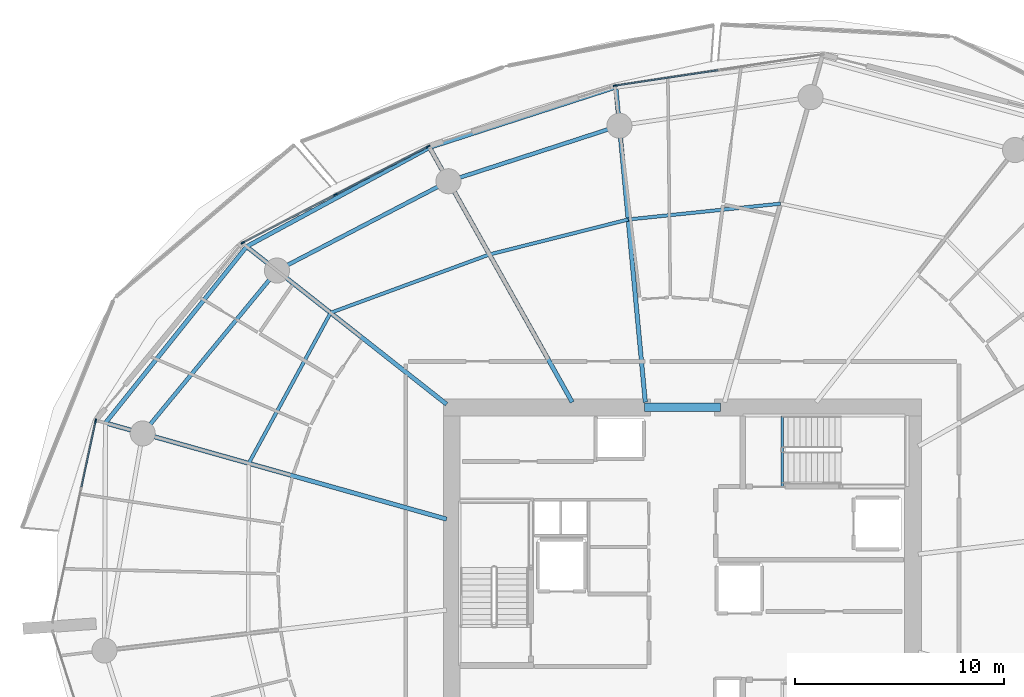
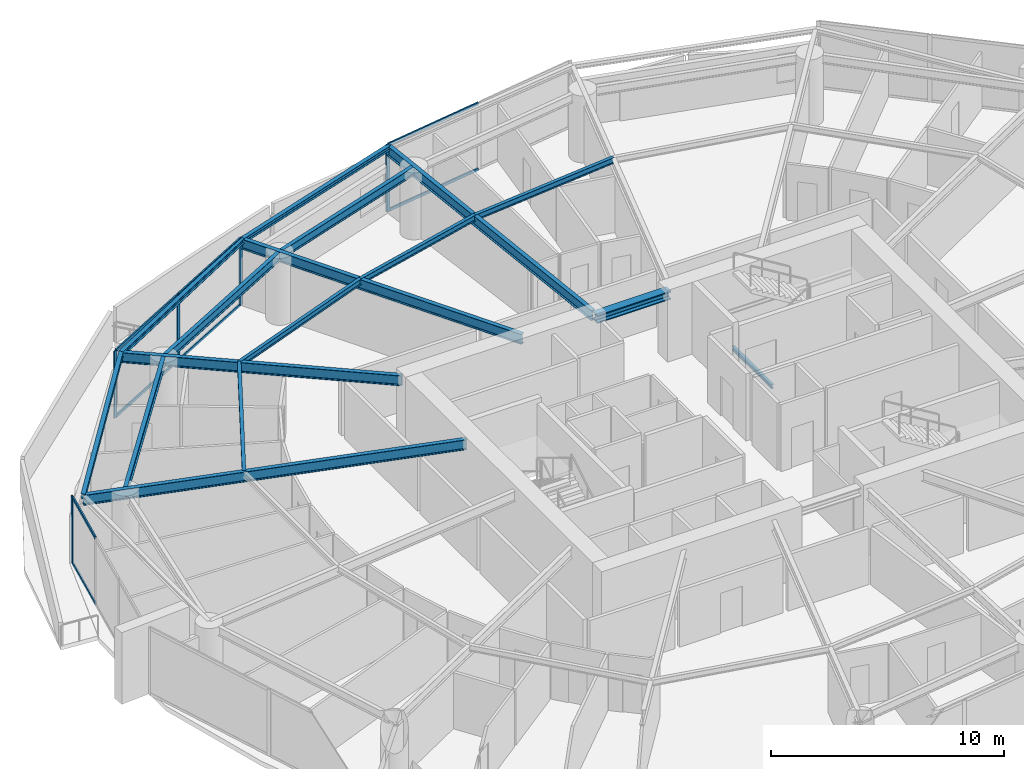
# One storey, part 8 of 23: 16 beams, 13 members, 3 elements without a shape of their own.
"""IFC4 building model written with IfcOpenShell, lengths in metres."""

from ifc_helpers import new_model, si_unit, direction, frame, origin, origin_2d, place, context, subcontext, project, spatial, rectangle, i_section, extrude, material, layer, layer_set, material_profile, profile_set, type_object, element, aggregate, save


model = new_model("IFC4")

# Units and contexts
model_context = context("Model", 3, precision=1e-05, world=origin(), true_north=direction((0.0, 1.0)))
body_context = subcontext(model_context, "Body", "Model", "MODEL_VIEW")
ifc_project = project(units=[si_unit("LENGTHUNIT", "METRE"), si_unit("AREAUNIT", "SQUARE_METRE"), si_unit("VOLUMEUNIT", "CUBIC_METRE"), si_unit("PLANEANGLEUNIT", "RADIAN"), si_unit("MASSUNIT", "GRAM", prefix="KILO")], contexts=[model_context])

# Site, building, storey
site_placement = place(None, origin())
site = spatial("IfcSite", under=ifc_project, at=site_placement, CompositionType="ELEMENT")
building_placement = place(site_placement, origin())
building = spatial("IfcBuilding", under=site, at=building_placement, Name="Kazma Halo Residences", CompositionType="ELEMENT")
storey_placement = place(building_placement, frame((0.0, 0.0, 82.64990234375)))
storey = spatial("IfcBuildingStorey", under=building, at=storey_placement, Name="L20", CompositionType="ELEMENT", Elevation=82.64990234375)

# Beams
ifc_material_1 = material(Name="Steel S355", Category="steel")
ifc_material_profile_1 = material_profile(ifc_material_1, i_section(OverallWidth=0.201904296875, OverallDepth=0.2470703125, WebThickness=0.00732421875, FlangeThickness=0.010986328125, FilletRadius=0.011962890625, at=origin_2d()), Name="W250x49.1")
ifc_profile_set_1 = profile_set([ifc_material_profile_1], Name="Steel S355")
beam_type_1 = type_object("IfcBeamType", Name="BM-BAL-CANT", PredefinedType="BEAM", material=ifc_profile_set_1)
beam_1_placement = place(storey_placement, frame((45.239013671875, 65.7109375, 3.376708984375), z_axis=(-0.951364037255, -0.308068934846, 0.0), x_axis=(0.308068934846, -0.951364037255, 0.0)))
element("IfcBeam", 1, at=beam_1_placement, inside=storey, type_object=beam_type_1, Name="L20 wave-balcony tie beam 04", PredefinedType="BEAM", context=body_context, shape_type="SweptSolid", body=[
    extrude(i_section(OverallWidth=0.201904296875, OverallDepth=0.2470703125, WebThickness=0.00732421875, FlangeThickness=0.010986328125, FilletRadius=0.011962890625, at=origin_2d()), origin(), (0.0, 0.0, 1.0), 9.3583984375),
])
beam_2_placement = place(storey_placement, frame((36.335693359375, 62.827880859375, 3.376708984375), z_axis=(-0.87930438671, -0.476260218276, 0.0), x_axis=(0.476260218276, -0.87930438671, 0.0)))
element("IfcBeam", 2, at=beam_2_placement, inside=storey, type_object=beam_type_1, Name="L20 wave-balcony tie beam 05", PredefinedType="BEAM", context=body_context, shape_type="SweptSolid", body=[
    extrude(i_section(OverallWidth=0.201904296875, OverallDepth=0.2470703125, WebThickness=0.00732421875, FlangeThickness=0.010986328125, FilletRadius=0.011962890625, at=origin_2d()), origin(), (0.0, 0.0, 1.0), 9.94677734375),
])
beam_3_placement = place(storey_placement, frame((27.58935546875, 58.090576171875, 3.376708984375), z_axis=(-0.62477775999, -0.78080263231, 0.0), x_axis=(0.78080263231, -0.62477775999, 0.0)))
element("IfcBeam", 3, at=beam_3_placement, inside=storey, type_object=beam_type_1, Name="L20 wave-balcony tie beam 06", PredefinedType="BEAM", context=body_context, shape_type="SweptSolid", body=[
    extrude(i_section(OverallWidth=0.201904296875, OverallDepth=0.2470703125, WebThickness=0.00732421875, FlangeThickness=0.010986328125, FilletRadius=0.011962890625, at=origin_2d()), origin(), (0.0, 0.0, 1.0), 10.79833984375),
])
ifc_material_profile_2 = material_profile(ifc_material_1, i_section(OverallWidth=0.408935546875, OverallDepth=0.425048828125, WebThickness=0.03271484375, FlangeThickness=0.052490234375, FilletRadius=0.02001953125, at=origin_2d()), Name="W360x421")
ifc_profile_set_2 = profile_set([ifc_material_profile_2], Name="Steel S355")
beam_type_2 = type_object("IfcBeamType", Name="BM-CORE-W360H", PredefinedType="BEAM", material=ifc_profile_set_2)
beam_4_placement = place(storey_placement, frame((46.60009765625, 50.39990234375, 3.28759765625), z_axis=(1.0, 0.0, 0.0), x_axis=(0.0, 1.0, 0.0)))
element("IfcBeam", 4, at=beam_4_placement, inside=storey, type_object=beam_type_2, Name="L20 core coupling beam N", PredefinedType="BEAM", context=body_context, shape_type="SweptSolid", body=[
    extrude(i_section(OverallWidth=0.408935546875, OverallDepth=0.425048828125, WebThickness=0.03271484375, FlangeThickness=0.052490234375, FilletRadius=0.02001953125, at=origin_2d()), origin(), (0.0, 0.0, 1.0), 3.64990234375),
])
ifc_material_profile_3 = material_profile(ifc_material_1, i_section(OverallWidth=0.208984375, OverallDepth=0.532958984375, WebThickness=0.01025390625, FlangeThickness=0.015625, FilletRadius=0.01611328125, at=origin_2d()), Name="W530x92")
ifc_profile_set_3 = profile_set([ifc_material_profile_3], Name="Steel S355")
beam_type_3 = type_object("IfcBeamType", Name="BM-RAD-W530", PredefinedType="BEAM", material=ifc_profile_set_3)
beam_5_placement = place(storey_placement, frame((46.64990234375, 50.64990234375, 3.233642578125), z_axis=(-0.093269713752, 0.995640879282, 0.0), x_axis=(-0.995640879282, -0.093269713752, 0.0)))
element("IfcBeam", 5, at=beam_5_placement, inside=storey, type_object=beam_type_3, Name="L20 radial floor beam 04", PredefinedType="BEAM", context=body_context, shape_type="SweptSolid", body=[
    extrude(i_section(OverallWidth=0.208984375, OverallDepth=0.532958984375, WebThickness=0.01025390625, FlangeThickness=0.015625, FilletRadius=0.01611328125, at=origin_2d()), origin(), (0.0, 0.0, 1.0), 15.126953125),
])
beam_6_placement = place(storey_placement, frame((43.15576171875, 50.64990234375, 3.233642578125), z_axis=(-0.488625206529, 0.872493786536, 0.0), x_axis=(-0.872493786536, -0.488625206529, 0.0)))
element("IfcBeam", 6, at=beam_6_placement, inside=storey, type_object=beam_type_3, Name="L20 radial floor beam 05", PredefinedType="BEAM", context=body_context, shape_type="SweptSolid", body=[
    extrude(i_section(OverallWidth=0.208984375, OverallDepth=0.532958984375, WebThickness=0.01025390625, FlangeThickness=0.015625, FilletRadius=0.01611328125, at=origin_2d()), origin(), (0.0, 0.0, 1.0), 13.957763671875),
])
beam_7_placement = place(storey_placement, frame((37.14990234375, 50.553466796875, 3.233642578125), z_axis=(-0.785309664997, 0.619103165929, 0.0), x_axis=(-0.619103165929, -0.785309664997, 0.0)))
element("IfcBeam", 7, at=beam_7_placement, inside=storey, type_object=beam_type_3, Name="L20 radial floor beam 06", PredefinedType="BEAM", context=body_context, shape_type="SweptSolid", body=[
    extrude(i_section(OverallWidth=0.208984375, OverallDepth=0.532958984375, WebThickness=0.01025390625, FlangeThickness=0.015625, FilletRadius=0.01611328125, at=origin_2d()), origin(), (0.0, 0.0, 1.0), 12.17431640625),
])
beam_8_placement = place(storey_placement, frame((37.14990234375, 45.06005859375, 3.233642578125), z_axis=(-0.962454695383, 0.271442368351, 0.0), x_axis=(-0.271442368351, -0.962454695383, 0.0)))
element("IfcBeam", 8, at=beam_8_placement, inside=storey, type_object=beam_type_3, Name="L20 radial floor beam 07", PredefinedType="BEAM", context=body_context, shape_type="SweptSolid", body=[
    extrude(i_section(OverallWidth=0.208984375, OverallDepth=0.532958984375, WebThickness=0.01025390625, FlangeThickness=0.015625, FilletRadius=0.01611328125, at=origin_2d()), origin(), (0.0, 0.0, 1.0), 16.943359375),
])
ifc_material_profile_4 = material_profile(ifc_material_1, i_section(OverallWidth=0.1650390625, OverallDepth=0.31005859375, WebThickness=0.005859375, FlangeThickness=0.009765625, FilletRadius=0.011962890625, at=origin_2d()), Name="W310x38.7")
ifc_profile_set_4 = profile_set([ifc_material_profile_4], Name="Steel S355")
beam_type_4 = type_object("IfcBeamType", Name="BM-SEC-W310B", PredefinedType="JOIST", material=ifc_profile_set_4)
beam_9_placement = place(storey_placement, frame((53.116455078125, 60.1416015625, 3.34521484375), z_axis=(-0.994656912508, -0.103235780624, 0.0), x_axis=(0.103235780624, -0.994656912508, 0.0)))
element("IfcBeam", 9, at=beam_9_placement, inside=storey, type_object=beam_type_4, Name="L20 circumferential floor joist 03", PredefinedType="JOIST", context=body_context, shape_type="SweptSolid", body=[
    extrude(i_section(OverallWidth=0.1650390625, OverallDepth=0.31005859375, WebThickness=0.005859375, FlangeThickness=0.009765625, FilletRadius=0.011962890625, at=origin_2d()), origin(), (0.0, 0.0, 1.0), 7.323974609375),
])
beam_10_placement = place(storey_placement, frame((45.83154296875, 59.385498046875, 3.34521484375), z_axis=(-0.969640662449, -0.244534221993, 0.0), x_axis=(0.244534221993, -0.969640662449, 0.0)))
element("IfcBeam", 10, at=beam_10_placement, inside=storey, type_object=beam_type_4, Name="L20 circumferential floor joist 04", PredefinedType="JOIST", context=body_context, shape_type="SweptSolid", body=[
    extrude(i_section(OverallWidth=0.1650390625, OverallDepth=0.31005859375, WebThickness=0.005859375, FlangeThickness=0.009765625, FilletRadius=0.011962890625, at=origin_2d()), origin(), (0.0, 0.0, 1.0), 6.8388671875),
])
beam_11_placement = place(storey_placement, frame((39.2001953125, 57.713134765625, 3.34521484375), z_axis=(-0.93875304644, -0.344590652513, 0.0), x_axis=(0.344590652513, -0.93875304644, 0.0)))
element("IfcBeam", 11, at=beam_11_placement, inside=storey, type_object=beam_type_4, Name="L20 circumferential floor joist 05", PredefinedType="JOIST", context=body_context, shape_type="SweptSolid", body=[
    extrude(i_section(OverallWidth=0.1650390625, OverallDepth=0.31005859375, WebThickness=0.005859375, FlangeThickness=0.009765625, FilletRadius=0.011962890625, at=origin_2d()), origin(), (0.0, 0.0, 1.0), 8.091064453125),
])
beam_12_placement = place(storey_placement, frame((31.604736328125, 54.925048828125, 3.34521484375), z_axis=(-0.477621844446, -0.878565520441, 0.0), x_axis=(0.878565520441, -0.477621844446, 0.0)))
element("IfcBeam", 12, at=beam_12_placement, inside=storey, type_object=beam_type_4, Name="L20 circumferential floor joist 06", PredefinedType="JOIST", context=body_context, shape_type="SweptSolid", body=[
    extrude(i_section(OverallWidth=0.1650390625, OverallDepth=0.31005859375, WebThickness=0.005859375, FlangeThickness=0.009765625, FilletRadius=0.011962890625, at=origin_2d()), origin(), (0.0, 0.0, 1.0), 8.1923828125),
])
ifc_material_profile_5 = material_profile(ifc_material_1, i_section(OverallWidth=0.18994140625, OverallDepth=0.45703125, WebThickness=0.009033203125, FlangeThickness=0.014404296875, FilletRadius=0.01611328125, at=origin_2d()), Name="W460x74")
ifc_profile_set_5 = profile_set([ifc_material_profile_5], Name="Steel S355")
beam_type_5 = type_object("IfcBeamType", Name="BM-SPN-W460", PredefinedType="BEAM", material=ifc_profile_set_5)
beam_13_placement = place(storey_placement, frame((45.41162109375, 63.869140625, 3.271484375), z_axis=(-0.951054111927, -0.30902439416, 0.0), x_axis=(0.30902439416, -0.951054111927, 0.0)))
element("IfcBeam", 13, at=beam_13_placement, inside=storey, type_object=beam_type_5, Name="L20 perimeter ring beam 04", PredefinedType="BEAM", context=body_context, shape_type="SweptSolid", body=[
    extrude(i_section(OverallWidth=0.18994140625, OverallDepth=0.45703125, WebThickness=0.009033203125, FlangeThickness=0.014404296875, FilletRadius=0.01611328125, at=origin_2d()), origin(), (0.0, 0.0, 1.0), 8.592529296875),
])
beam_14_placement = place(storey_placement, frame((37.23974609375, 61.2138671875, 3.271484375), z_axis=(-0.886963229644, -0.461840047266, 0.0), x_axis=(0.461840047266, -0.886963229644, 0.0)))
element("IfcBeam", 14, at=beam_14_placement, inside=storey, type_object=beam_type_5, Name="L20 perimeter ring beam 05", PredefinedType="BEAM", context=body_context, shape_type="SweptSolid", body=[
    extrude(i_section(OverallWidth=0.18994140625, OverallDepth=0.45703125, WebThickness=0.009033203125, FlangeThickness=0.014404296875, FilletRadius=0.01611328125, at=origin_2d()), origin(), (0.0, 0.0, 1.0), 9.242431640625),
])
beam_15_placement = place(storey_placement, frame((29.0419921875, 56.9453125, 3.271484375), z_axis=(-0.635989564566, -0.771697656963, 0.0), x_axis=(0.771697656963, -0.635989564566, 0.0)))
element("IfcBeam", 15, at=beam_15_placement, inside=storey, type_object=beam_type_5, Name="L20 perimeter ring beam 06", PredefinedType="BEAM", context=body_context, shape_type="SweptSolid", body=[
    extrude(i_section(OverallWidth=0.18994140625, OverallDepth=0.45703125, WebThickness=0.009033203125, FlangeThickness=0.014404296875, FilletRadius=0.01611328125, at=origin_2d()), origin(), (0.0, 0.0, 1.0), 10.092529296875),
])
ifc_material_profile_6 = material_profile(ifc_material_1, i_section(OverallWidth=0.133056640625, OverallDepth=0.20703125, WebThickness=0.005859375, FlangeThickness=0.00830078125, FilletRadius=0.010009765625, at=origin_2d()), Name="W200x26.6")
ifc_profile_set_6 = profile_set([ifc_material_profile_6], Name="Steel S355")
beam_type_6 = type_object("IfcBeamType", Name="BM-TRIM-W200", PredefinedType="BEAM", material=ifc_profile_set_6)
beam_16_placement = place(storey_placement, frame((53.199951171875, 46.6201171875, -0.35986328125), z_axis=(0.0, 1.0, 0.0), x_axis=(-1.0, 0.0, 0.0)))
element("IfcBeam", 16, at=beam_16_placement, inside=storey, type_object=beam_type_6, Name="L20 ST-02 floor landing support beam", PredefinedType="BEAM", context=body_context, shape_type="SweptSolid", body=[
    extrude(i_section(OverallWidth=0.133056640625, OverallDepth=0.20703125, WebThickness=0.005859375, FlangeThickness=0.00830078125, FilletRadius=0.010009765625, at=origin_2d()), origin(), (0.0, 0.0, 1.0), 3.3798828125),
])

# Curtain wall, member
ifc_material_2 = material(Name="Aluminium AW-6063 T6 and Triple-Silver Low-E Glass", Category="aluminium")
ifc_layer = layer(ifc_material_2, 0.199951171875)
ifc_layer_set = layer_set([ifc_layer], Name="Aluminium AW-6063 T6 and Triple-Silver Low-E Glass")
curtain_wall_type = type_object("IfcCurtainWallType", Name="CW-SYS-3", PredefinedType="NOTDEFINED", material=ifc_layer_set)
curtain_wall_1_placement = place(storey_placement, origin())
curtain_wall_1 = element("IfcCurtainWall", 17, at=curtain_wall_1_placement, inside=storey, type_object=curtain_wall_type, Name="L20 unitised curtain wall B03", PredefinedType="NOTDEFINED")
ifc_material_3 = material(Name="Aluminium AW-6063 T6", Category="aluminium")
ifc_material_profile_7 = material_profile(ifc_material_3, rectangle(XDim=0.070068359375, YDim=0.199951171875, at=origin_2d()), Name="CWM-70x200")
ifc_profile_set_7 = profile_set([ifc_material_profile_7], Name="Aluminium AW-6063 T6")
member_type_1 = type_object("IfcMemberType", Name="CW-SYS-3-MUL", PredefinedType="MULLION", material=ifc_profile_set_7)
member_1_placement = place(storey_placement, frame((45.219970703125, 65.78662109375, 0.0), z_axis=(0.0, 0.0, 1.0), x_axis=(0.148717330409, -0.988879747814, 0.0)))
member_1 = element("IfcMember", 18, at=member_1_placement, type_object=member_type_1, Name="CWS-3 mullion 3", PredefinedType="MULLION", context=body_context, shape_type="SweptSolid", body=[
    extrude(rectangle(XDim=0.070068359375, YDim=0.199951171875, at=origin_2d()), origin(), (0.0, 0.0, 1.0), 3.5),
])

# Curtain wall, members
curtain_wall_2_placement = place(storey_placement, origin())
curtain_wall_2 = element("IfcCurtainWall", 19, at=curtain_wall_2_placement, inside=storey, type_object=curtain_wall_type, Name="L20 unitised curtain wall B05", PredefinedType="NOTDEFINED")
member_2_placement = place(storey_placement, frame((36.267822265625, 62.8779296875, 0.0), z_axis=(0.0, 0.0, 1.0), x_axis=(0.460932159481, -0.887435374749, 0.0)))
member_2 = element("IfcMember", 20, at=member_2_placement, type_object=member_type_1, Name="CWS-3 mullion 1", PredefinedType="MULLION", context=body_context, shape_type="SweptSolid", body=[
    extrude(rectangle(XDim=0.070068359375, YDim=0.199951171875, at=origin_2d()), origin(), (0.0, 0.0, 1.0), 3.5),
])
member_3_placement = place(storey_placement, frame((31.8369140625, 60.57666015625, 0.0), z_axis=(0.0, 0.0, 1.0), x_axis=(0.460932159481, -0.887435374749, 0.0)))
member_3 = element("IfcMember", 21, at=member_3_placement, type_object=member_type_1, Name="CWS-3 mullion 2", PredefinedType="MULLION", context=body_context, shape_type="SweptSolid", body=[
    extrude(rectangle(XDim=0.070068359375, YDim=0.199951171875, at=origin_2d()), origin(), (0.0, 0.0, 1.0), 3.5),
])
member_4_placement = place(storey_placement, frame((27.40625, 58.275390625, 0.0), z_axis=(0.0, 0.0, 1.0), x_axis=(0.460932159481, -0.887435374749, 0.0)))
member_4 = element("IfcMember", 22, at=member_4_placement, type_object=member_type_1, Name="CWS-3 mullion 3", PredefinedType="MULLION", context=body_context, shape_type="SweptSolid", body=[
    extrude(rectangle(XDim=0.070068359375, YDim=0.199951171875, at=origin_2d()), origin(), (0.0, 0.0, 1.0), 3.5),
])

# Curtain wall, member
curtain_wall_3_placement = place(storey_placement, origin())
curtain_wall_3 = element("IfcCurtainWall", 23, at=curtain_wall_3_placement, inside=storey, type_object=curtain_wall_type, Name="L20 unitised curtain wall B07", PredefinedType="NOTDEFINED")
member_5_placement = place(storey_placement, frame((20.3740234375, 49.755126953125, 0.0), z_axis=(0.0, 0.0, 1.0), x_axis=(0.977774176093, -0.209660822677, 0.0)))
member_5 = element("IfcMember", 24, at=member_5_placement, type_object=member_type_1, Name="CWS-3 mullion 1", PredefinedType="MULLION", context=body_context, shape_type="SweptSolid", body=[
    extrude(rectangle(XDim=0.070068359375, YDim=0.199951171875, at=origin_2d()), origin(), (0.0, 0.0, 1.0), 3.5),
])

# Member
ifc_material_profile_8 = material_profile(ifc_material_3, rectangle(XDim=0.070068359375, YDim=0.14990234375, at=origin_2d()), Name="CWT-70x150")
ifc_profile_set_8 = profile_set([ifc_material_profile_8], Name="Aluminium AW-6063 T6")
member_type_2 = type_object("IfcMemberType", Name="CW-SYS-3-TRN", PredefinedType="USERDEFINED", material=ifc_profile_set_8)
member_6_placement = place(storey_placement, frame((50.12255859375, 66.52392578125, 0.03515625), z_axis=(-0.988884271372, -0.148687248386, 0.0), x_axis=(0.148687248386, -0.988884271372, 0.0)))
member_6 = element("IfcMember", 25, at=member_6_placement, type_object=member_type_2, Name="CWS-3 transom 2.1", ObjectType="TRANSOM", PredefinedType="USERDEFINED", context=body_context, shape_type="SweptSolid", body=[
    extrude(rectangle(XDim=0.070068359375, YDim=0.14990234375, at=origin_2d()), origin(), (0.0, 0.0, 1.0), 4.922607421875),
])

member_7_placement = place(storey_placement, frame((50.12255859375, 66.52392578125, 3.465087890625), z_axis=(-0.988884271372, -0.148687248386, 0.0), x_axis=(0.148687248386, -0.988884271372, 0.0)))
member_7 = element("IfcMember", 26, at=member_7_placement, type_object=member_type_2, Name="CWS-3 transom 2.2", ObjectType="TRANSOM", PredefinedType="USERDEFINED", context=body_context, shape_type="SweptSolid", body=[
    extrude(rectangle(XDim=0.070068359375, YDim=0.14990234375, at=origin_2d()), origin(), (0.0, 0.0, 1.0), 4.922607421875),
])

aggregate(curtain_wall_1, [member_1, member_6, member_7])

member_8_placement = place(storey_placement, frame((36.236572265625, 62.86181640625, 0.03515625), z_axis=(-0.887427024944, -0.460948235054, 0.0), x_axis=(0.460948235054, -0.887427024944, 0.0)))
member_8 = element("IfcMember", 27, at=member_8_placement, type_object=member_type_2, Name="CWS-3 transom 1.1", ObjectType="TRANSOM", PredefinedType="USERDEFINED", context=body_context, shape_type="SweptSolid", body=[
    extrude(rectangle(XDim=0.070068359375, YDim=0.14990234375, at=origin_2d()), origin(), (0.0, 0.0, 1.0), 4.922607421875),
])

member_9_placement = place(storey_placement, frame((36.236572265625, 62.86181640625, 3.465087890625), z_axis=(-0.887427024944, -0.460948235054, 0.0), x_axis=(0.460948235054, -0.887427024944, 0.0)))
member_9 = element("IfcMember", 28, at=member_9_placement, type_object=member_type_2, Name="CWS-3 transom 1.2", ObjectType="TRANSOM", PredefinedType="USERDEFINED", context=body_context, shape_type="SweptSolid", body=[
    extrude(rectangle(XDim=0.070068359375, YDim=0.14990234375, at=origin_2d()), origin(), (0.0, 0.0, 1.0), 4.922607421875),
])

member_10_placement = place(storey_placement, frame((31.805908203125, 60.560546875, 0.03515625), z_axis=(-0.887437562141, -0.460927948058, 0.0), x_axis=(0.460927948058, -0.887437562141, 0.0)))
member_10 = element("IfcMember", 29, at=member_10_placement, type_object=member_type_2, Name="CWS-3 transom 2.1", ObjectType="TRANSOM", PredefinedType="USERDEFINED", context=body_context, shape_type="SweptSolid", body=[
    extrude(rectangle(XDim=0.070068359375, YDim=0.14990234375, at=origin_2d()), origin(), (0.0, 0.0, 1.0), 4.9228515625),
])

member_11_placement = place(storey_placement, frame((31.805908203125, 60.560546875, 3.465087890625), z_axis=(-0.887437562141, -0.460927948058, 0.0), x_axis=(0.460927948058, -0.887437562141, 0.0)))
member_11 = element("IfcMember", 30, at=member_11_placement, type_object=member_type_2, Name="CWS-3 transom 2.2", ObjectType="TRANSOM", PredefinedType="USERDEFINED", context=body_context, shape_type="SweptSolid", body=[
    extrude(rectangle(XDim=0.070068359375, YDim=0.14990234375, at=origin_2d()), origin(), (0.0, 0.0, 1.0), 4.9228515625),
])

aggregate(curtain_wall_2, [member_2, member_3, member_4, member_8, member_9, member_10, member_11])

member_12_placement = place(storey_placement, frame((20.36669921875, 49.720947265625, 0.03515625), z_axis=(-0.209702197956, -0.977765303216, 0.0), x_axis=(0.977765303216, -0.209702197956, 0.0)))
member_12 = element("IfcMember", 31, at=member_12_placement, type_object=member_type_2, Name="CWS-3 transom 1.1", ObjectType="TRANSOM", PredefinedType="USERDEFINED", context=body_context, shape_type="SweptSolid", body=[
    extrude(rectangle(XDim=0.070068359375, YDim=0.14990234375, at=origin_2d()), origin(), (0.0, 0.0, 1.0), 3.17822265625),
])

member_13_placement = place(storey_placement, frame((20.36669921875, 49.720947265625, 3.465087890625), z_axis=(-0.209702197956, -0.977765303216, 0.0), x_axis=(0.977765303216, -0.209702197956, 0.0)))
member_13 = element("IfcMember", 32, at=member_13_placement, type_object=member_type_2, Name="CWS-3 transom 1.2", ObjectType="TRANSOM", PredefinedType="USERDEFINED", context=body_context, shape_type="SweptSolid", body=[
    extrude(rectangle(XDim=0.070068359375, YDim=0.14990234375, at=origin_2d()), origin(), (0.0, 0.0, 1.0), 3.17822265625),
])

aggregate(curtain_wall_3, [member_5, member_12, member_13])

save(model, "model.ifc")
